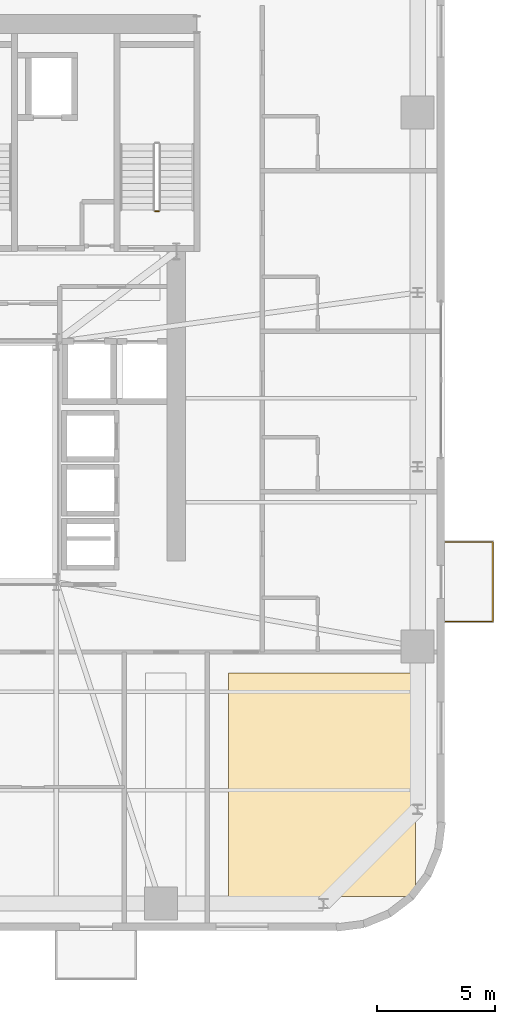
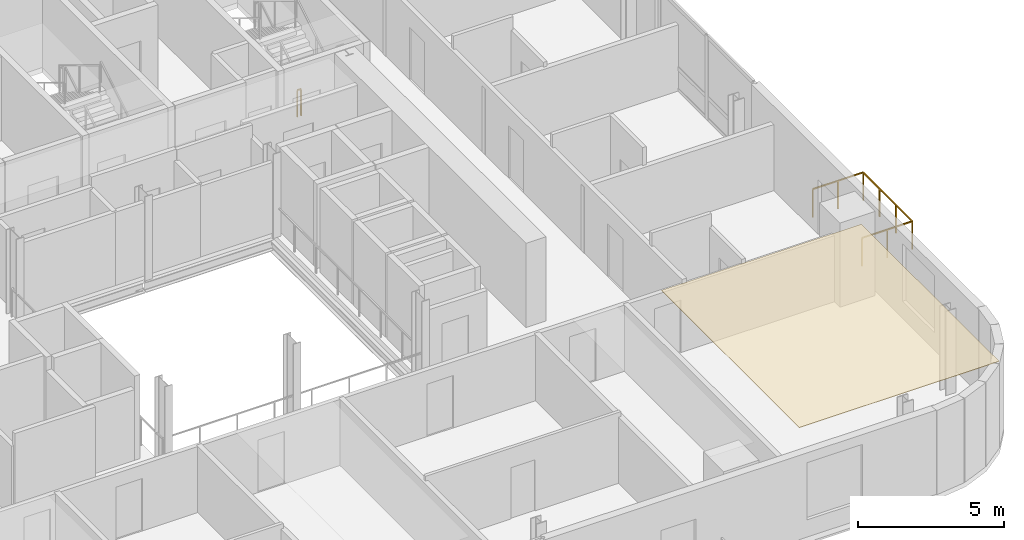
# One storey, part 14 of 15: 2 railings, 1 covering.
"""IFC4 building model written with IfcOpenShell, lengths in metres."""

from ifc_helpers import new_model, si_unit, direction, frame, origin, origin_2d, place, context, subcontext, project, spatial, polyline, rectangle, outline, extrude, source, transform, mapped, material, layer, layer_set, type_object, element, save


model = new_model("IFC4")

# Units and contexts
model_context = context("Model", 3, precision=1e-05, world=origin(), true_north=direction((0.0, 1.0)))
body_context = subcontext(model_context, "Body", "Model", "MODEL_VIEW")
ifc_project = project(units=[si_unit("LENGTHUNIT", "METRE"), si_unit("AREAUNIT", "SQUARE_METRE"), si_unit("VOLUMEUNIT", "CUBIC_METRE"), si_unit("PLANEANGLEUNIT", "RADIAN"), si_unit("MASSUNIT", "GRAM", prefix="KILO")], contexts=[model_context])

# Site, building, storey
site_placement = place(None, origin())
site = spatial("IfcSite", under=ifc_project, at=site_placement, CompositionType="ELEMENT")
building_placement = place(site_placement, origin())
building = spatial("IfcBuilding", under=site, at=building_placement, Name="Vardaveli Station Tower", CompositionType="ELEMENT")
storey_placement = place(building_placement, frame((0.0, 0.0, 229.800048828125)))
storey = spatial("IfcBuildingStorey", under=building, at=storey_placement, Name="L59", CompositionType="ELEMENT", Elevation=229.800048828125)

# Covering
ifc_material_1 = material(Name="Perforated acoustic mineral ceiling")
ifc_layer = layer(ifc_material_1, 0.02001953125, Name="Perforated acoustic mineral ceiling")
ifc_layer_set = layer_set([ifc_layer], Name="Perforated acoustic mineral ceiling")
covering_type = type_object("IfcCoveringType", Name="COV-CEIL-AC20", PredefinedType="CEILING", material=ifc_layer_set)
covering_placement = place(storey_placement, frame((0.0, 0.0, 3.514892578125)))
element("IfcCovering", 1, at=covering_placement, inside=storey, type_object=covering_type, Name="CEIL-L59-4", PredefinedType="CEILING", context=body_context, shape_type="SweptSolid", body=[
    extrude(outline(polyline([(48.719970703125, 3.25), (56.64990234375, 3.25), (56.64990234375, 12.72998046875), (48.719970703125, 12.72998046875), (48.719970703125, 3.25)])), origin(), (0.0, 0.0, 1.0), 0.02001953125),
])

# Railings
ifc_material_2 = material(Name="Laminated glass and stainless steel balustrade", Category="steel")
railing_type_1 = type_object("IfcRailingType", Name="RL-BAL-1200", PredefinedType="BALUSTRADE", material=ifc_material_2)
shared_shape_1 = source(origin(), body_context, "Body", "SweptSolid", [
    extrude(rectangle(XDim=0.048095703125, YDim=0.048095703125, at=origin_2d()), frame((0.0, 0.0, 1.17578125), z_axis=(1.0, 0.0, 0.0), x_axis=(0.0, 1.0, 0.0)), (0.0, 0.0, 1.0), 2.0),
    extrude(rectangle(XDim=0.048095703125, YDim=0.048095703125, at=origin_2d()), frame((2.0, 0.0, 1.17578125), z_axis=(0.0, 1.0, 0.0), x_axis=(-1.0, 0.0, 0.0)), (0.0, 0.0, 1.0), 3.3798828125),
    extrude(rectangle(XDim=0.048095703125, YDim=0.048095703125, at=origin_2d()), frame((2.0, 3.3798828125, 1.17578125), z_axis=(-1.0, 0.0, 0.0), x_axis=(0.0, -1.0, 0.0)), (0.0, 0.0, 1.0), 2.0),
    extrude(rectangle(XDim=0.0419921875, YDim=0.0419921875, at=origin_2d()), origin(), (0.0, 0.0, 1.0), 1.15185546875),
    extrude(rectangle(XDim=0.0419921875, YDim=0.0419921875, at=origin_2d()), frame((1.0, 0.0, 0.0)), (0.0, 0.0, 1.0), 1.15185546875),
    extrude(rectangle(XDim=0.0419921875, YDim=0.0419921875, at=origin_2d()), frame((2.0, 0.0, 0.0)), (0.0, 0.0, 1.0), 1.15185546875),
    extrude(rectangle(XDim=0.0419921875, YDim=0.0419921875, at=origin_2d()), frame((2.0, 1.126708984375, 0.0)), (0.0, 0.0, 1.0), 1.15185546875),
    extrude(rectangle(XDim=0.0419921875, YDim=0.0419921875, at=origin_2d()), frame((2.0, 2.253173828125, 0.0)), (0.0, 0.0, 1.0), 1.15185546875),
    extrude(rectangle(XDim=0.0419921875, YDim=0.0419921875, at=origin_2d()), frame((2.0, 3.3798828125, 0.0)), (0.0, 0.0, 1.0), 1.15185546875),
    extrude(rectangle(XDim=0.0419921875, YDim=0.0419921875, at=origin_2d()), frame((1.0, 3.3798828125, 0.0)), (0.0, 0.0, 1.0), 1.15185546875),
    extrude(rectangle(XDim=0.0419921875, YDim=0.0419921875, at=origin_2d()), frame((0.0, 3.3798828125, 0.0)), (0.0, 0.0, 1.0), 1.15185546875),
])
railing_1_placement = place(storey_placement, frame((57.93994140625, 14.92041015625, 0.0)))
element("IfcRailing", 2, at=railing_1_placement, inside=storey, type_object=railing_type_1, Name="RL-LOG-L59-04", PredefinedType="BALUSTRADE", context=body_context, shape_type="MappedRepresentation", body=[
    mapped(shared_shape_1, transform((0.0, 0.0, 0.0), scale=1.0)),
])
ifc_material_3 = material(Name="Brushed AISI 316 stainless steel", Category="steel")
railing_type_2 = type_object("IfcRailingType", Name="RL-GUARD-1150", PredefinedType="GUARDRAIL", material=ifc_material_3)
shared_shape_2 = source(origin(), body_context, "Body", "SweptSolid", [
    extrude(rectangle(XDim=0.048095703125, YDim=0.048095703125, at=origin_2d()), frame((0.0, 0.0, 1.1259765625), z_axis=(-1.0, 0.0, 0.0), x_axis=(0.0, -1.0, 0.0)), (0.0, 0.0, 1.0), 0.14990234375),
    extrude(rectangle(XDim=0.0419921875, YDim=0.0419921875, at=origin_2d()), origin(), (0.0, 0.0, 1.0), 1.101806640625),
    extrude(rectangle(XDim=0.0419921875, YDim=0.0419921875, at=origin_2d()), frame((-0.14990234375, 0.0, 0.0)), (0.0, 0.0, 1.0), 1.101806640625),
])
railing_2_placement = place(storey_placement, frame((45.75, 32.35009765625, 0.0)))
element("IfcRailing", 3, at=railing_2_placement, inside=storey, type_object=railing_type_2, Name="L59 ST-3 stair guard 4", PredefinedType="GUARDRAIL", context=body_context, shape_type="MappedRepresentation", body=[
    mapped(shared_shape_2, transform((0.0, 0.0, 0.0), scale=1.0)),
])

save(model, "model.ifc")
